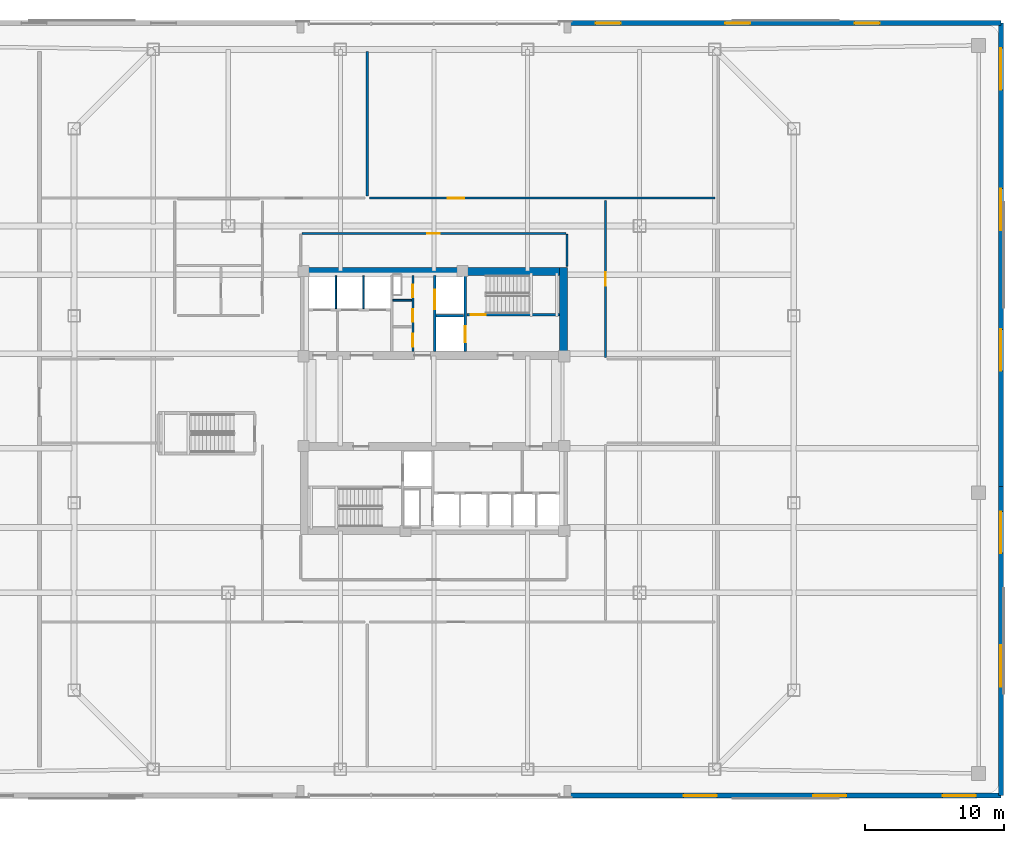
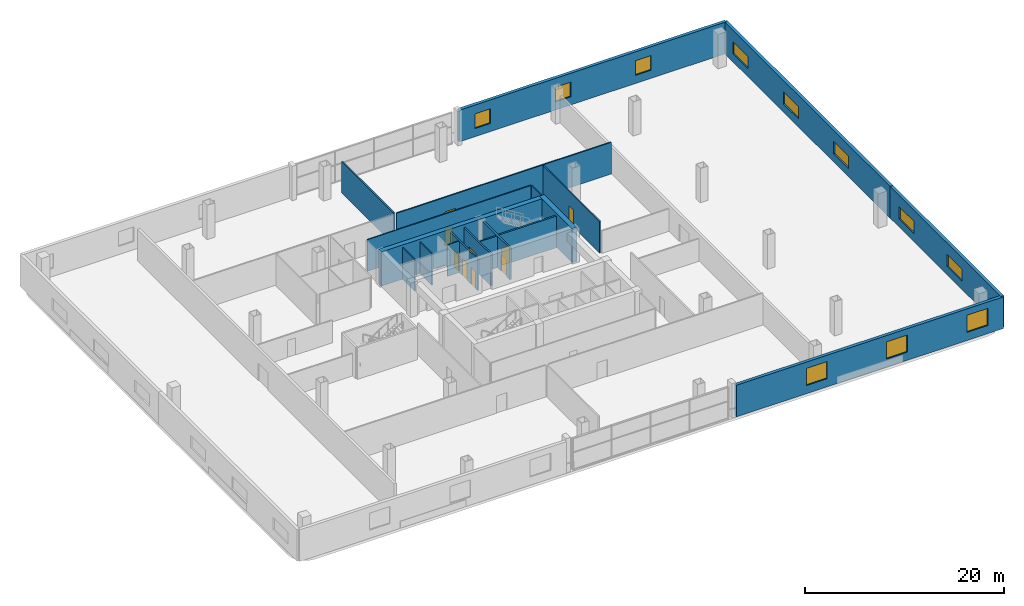
# One storey, part 14 of 21: 19 walls, 11 windows, 9 doors, 20 openings.
"""IFC4 building model written with IfcOpenShell, lengths in metres."""

from ifc_helpers import new_model, si_unit, direction, frame, frame_2d, origin, place, context, subcontext, project, spatial, rectangle, extrude, material, layer, layer_set, type_object, element, fill, save


model = new_model("IFC4")

# Units and contexts
model_context = context("Model", 3, precision=1e-05, world=origin(), true_north=direction((0.0, 1.0)))
body_context = subcontext(model_context, "Body", "Model", "MODEL_VIEW")
ifc_project = project(units=[si_unit("LENGTHUNIT", "METRE"), si_unit("AREAUNIT", "SQUARE_METRE"), si_unit("VOLUMEUNIT", "CUBIC_METRE"), si_unit("PLANEANGLEUNIT", "RADIAN"), si_unit("MASSUNIT", "GRAM", prefix="KILO")], contexts=[model_context])

# Site, building, storey
site_placement = place(None, origin())
site = spatial("IfcSite", under=ifc_project, at=site_placement, CompositionType="ELEMENT")
building_placement = place(site_placement, origin())
building = spatial("IfcBuilding", under=site, at=building_placement, Name="Qhalaya Broadcast Tower", CompositionType="ELEMENT")
storey_placement = place(building_placement, frame((0.0, 0.0, 13.5)))
storey = spatial("IfcBuildingStorey", under=building, at=storey_placement, Name="L03", CompositionType="ELEMENT", Elevation=13.5)

# Wall, openings, doors
ifc_material_1 = material(Name="Gypsum Acoustic Partition")
ifc_layer_1 = layer(ifc_material_1, 0.14990234375, Name="Gypsum Acoustic Partition")
ifc_layer_set_1 = layer_set([ifc_layer_1], Name="Gypsum Acoustic Partition")
wall_type_1 = type_object("IfcWallType", Name="Corridor & Tenancy Acoustic Partition 150", PredefinedType="PARTITIONING", material=ifc_layer_set_1)
wall_1_placement = place(storey_placement, frame((-1.52001953125, 4.169921875, 0.0), z_axis=(0.0, 0.0, 1.0), x_axis=(0.0, 1.0, 0.0)))
wall_1 = element("IfcWall", 1, at=wall_1_placement, inside=storey, type_object=wall_type_1, Name="L03 Partition Wall NCW-SVL", PredefinedType="PARTITIONING", context=body_context, shape_type="SweptSolid", body=[
    extrude(rectangle(XDim=5.4599609375, YDim=0.14990234375, at=frame_2d((2.72998046875, 0.0))), origin(), (0.0, 0.0, 1.0), 3.8798828125),
])
opening_1_placement = place(wall_1_placement, frame((3.89990234375, 0.0, 0.0)))
opening_1 = element("IfcOpeningElement", 2, at=opening_1_placement, cuts=wall_1, Name="Opening D06", PredefinedType="OPENING", context=body_context, shape_type="SweptSolid", body=[
    extrude(rectangle(XDim=0.89990234375, YDim=2.050048828125, at=frame_2d((0.449951171875, 1.02490234375))), frame((0.0, 0.0869140625, 0.0), z_axis=(0.0, -1.0, 0.0), x_axis=(1.0, 0.0, 0.0)), (0.0, 0.0, 1.0), 0.173828125),
])
opening_2_placement = place(wall_1_placement, frame((2.14990234375, 0.0, 0.0)))
opening_2 = element("IfcOpeningElement", 3, at=opening_2_placement, cuts=wall_1, Name="Opening D06", PredefinedType="OPENING", context=body_context, shape_type="SweptSolid", body=[
    extrude(rectangle(XDim=0.89990234375, YDim=2.050048828125, at=frame_2d((0.449951171875, 1.02490234375))), frame((0.0, 0.0869140625, 0.0), z_axis=(0.0, -1.0, 0.0), x_axis=(1.0, 0.0, 0.0)), (0.0, 0.0, 1.0), 0.173828125),
])
opening_3_placement = place(wall_1_placement, frame((0.35009765625, 0.0, 0.0)))
opening_3 = element("IfcOpeningElement", 4, at=opening_3_placement, cuts=wall_1, Name="Opening D12", PredefinedType="OPENING", context=body_context, shape_type="SweptSolid", body=[
    extrude(rectangle(XDim=0.919921875, YDim=2.10009765625, at=frame_2d((0.4599609375, 1.050048828125))), frame((0.0, 0.0869140625, 0.0), z_axis=(0.0, -1.0, 0.0), x_axis=(1.0, 0.0, 0.0)), (0.0, 0.0, 1.0), 0.173828125),
])
ifc_material_2 = material(Name="Timber Veneer Acoustic Door", Category="wood")
door_type_1 = type_object("IfcDoorType", Name="Accessible WC & Restroom Door D12", OperationType="NOTDEFINED", PredefinedType="DOOR", material=ifc_material_2)
door_1_placement = place(opening_3_placement, origin())
door_1 = element("IfcDoor", 5, at=door_1_placement, inside=storey, type_object=door_type_1, Name="L03 Door D-NCWC", OperationType="SINGLE_SWING_RIGHT", OverallHeight=2.10009765625, OverallWidth=0.919921875, PredefinedType="DOOR", context=body_context, shape_type="SweptSolid", body=[
    extrude(rectangle(XDim=0.919921875, YDim=2.10009765625, at=frame_2d((0.4599609375, 1.050048828125))), frame((0.0, 0.02490234375, 0.0), z_axis=(0.0, -1.0, 0.0), x_axis=(1.0, 0.0, 0.0)), (0.0, 0.0, 1.0), 0.050048828125),
])
fill(opening_3, door_1)
ifc_material_3 = material(Name="Fire-Rated Steel Door", Category="steel")
door_type_2 = type_object("IfcDoorType", Name="Riser & Electrical Shaft Access Door D06", OperationType="NOTDEFINED", PredefinedType="DOOR", material=ifc_material_3)
door_2_placement = place(opening_1_placement, origin())
door_2 = element("IfcDoor", 6, at=door_2_placement, inside=storey, type_object=door_type_2, Name="L03 Riser Shaft Access Door D-NRSR", OperationType="SINGLE_SWING_RIGHT", OverallHeight=2.050048828125, OverallWidth=0.89990234375, PredefinedType="DOOR", context=body_context, shape_type="SweptSolid", body=[
    extrude(rectangle(XDim=0.89990234375, YDim=2.050048828125, at=frame_2d((0.449951171875, 1.02490234375))), frame((0.0, 0.02490234375, 0.0), z_axis=(0.0, -1.0, 0.0), x_axis=(1.0, 0.0, 0.0)), (0.0, 0.0, 1.0), 0.050048828125),
])
fill(opening_1, door_2)
door_3_placement = place(opening_2_placement, origin())
door_3 = element("IfcDoor", 7, at=door_3_placement, inside=storey, type_object=door_type_2, Name="L03 Door D-NITR", OperationType="SINGLE_SWING_LEFT", OverallHeight=2.050048828125, OverallWidth=0.89990234375, PredefinedType="DOOR", context=body_context, shape_type="SweptSolid", body=[
    extrude(rectangle(XDim=0.89990234375, YDim=2.050048828125, at=frame_2d((0.449951171875, 1.02490234375))), frame((0.0, 0.02490234375, 0.0), z_axis=(0.0, -1.0, 0.0), x_axis=(1.0, 0.0, 0.0)), (0.0, 0.0, 1.0), 0.050048828125),
])
fill(opening_2, door_3)

# Wall, opening, door
wall_2_placement = place(storey_placement, frame((-4.639892578125, 15.199951171875, 0.0), z_axis=(0.0, 0.0, 1.0), x_axis=(1.0, 0.0, 0.0)))
wall_2 = element("IfcWall", 8, at=wall_2_placement, inside=storey, type_object=wall_type_1, Name="L03 Partition Wall W-STN1R", PredefinedType="PARTITIONING", context=body_context, shape_type="SweptSolid", body=[
    extrude(rectangle(XDim=24.8798828125, YDim=0.14990234375, at=frame_2d((12.43994140625, 0.0))), origin(), (0.0, 0.0, 1.0), 3.8798828125),
])
opening_4_placement = place(wall_2_placement, frame((5.6201171875, 0.0, 0.0)))
opening_4 = element("IfcOpeningElement", 9, at=opening_4_placement, cuts=wall_2, Name="Opening D11", PredefinedType="OPENING", context=body_context, shape_type="SweptSolid", body=[
    extrude(rectangle(XDim=1.199951171875, YDim=2.10009765625, at=frame_2d((0.60009765625, 1.050048828125))), frame((0.0, 0.0869140625, 0.0), z_axis=(0.0, -1.0, 0.0), x_axis=(1.0, 0.0, 0.0)), (0.0, 0.0, 1.0), 0.173828125),
])
ifc_material_4 = material(Name="Anodised Aluminium Glazed Door", Category="aluminium")
door_type_3 = type_object("IfcDoorType", Name="Conference, Boardroom & Studio Control Door D11", OperationType="NOTDEFINED", PredefinedType="DOOR", material=ifc_material_4)
door_4_placement = place(opening_4_placement, origin())
door_4 = element("IfcDoor", 10, at=door_4_placement, inside=storey, type_object=door_type_3, Name="L03 Door D-STN2", OperationType="SINGLE_SWING_RIGHT", OverallHeight=2.10009765625, OverallWidth=1.199951171875, PredefinedType="DOOR", context=body_context, shape_type="SweptSolid", body=[
    extrude(rectangle(XDim=1.199951171875, YDim=2.10009765625, at=frame_2d((0.60009765625, 1.050048828125))), frame((0.0, 0.02490234375, 0.0), z_axis=(0.0, -1.0, 0.0), x_axis=(1.0, 0.0, 0.0)), (0.0, 0.0, 1.0), 0.050048828125),
])
fill(opening_4, door_4)

# Wall
wall_3_placement = place(storey_placement, frame((-4.800048828125, 15.360107421875, 0.0), z_axis=(0.0, 0.0, 1.0), x_axis=(0.0, 1.0, 0.0)))
element("IfcWall", 11, at=wall_3_placement, inside=storey, type_object=wall_type_1, Name="L03 Partition Wall W-STMN", PredefinedType="PARTITIONING", context=body_context, shape_type="SweptSolid", body=[
    extrude(rectangle(XDim=10.3798828125, YDim=0.14990234375, at=frame_2d((5.18994140625, 0.0))), origin(), (0.0, 0.0, 1.0), 3.8798828125),
])

# Wall, opening, door
wall_4_placement = place(storey_placement, frame((12.35009765625, 3.739990234375, 0.0), z_axis=(0.0, 0.0, 1.0), x_axis=(0.0, 1.0, 0.0)))
wall_4 = element("IfcWall", 12, at=wall_4_placement, inside=storey, type_object=wall_type_1, Name="L03 Partition Wall W-STPEN", PredefinedType="PARTITIONING", context=body_context, shape_type="SweptSolid", body=[
    extrude(rectangle(XDim=11.300048828125, YDim=0.14990234375, at=frame_2d((5.64990234375, 0.0))), origin(), (0.0, 0.0, 1.0), 3.8798828125),
])
opening_5_placement = place(wall_4_placement, frame((5.175048828125, 0.0, 0.0)))
opening_5 = element("IfcOpeningElement", 13, at=opening_5_placement, cuts=wall_4, Name="Opening D10", PredefinedType="OPENING", context=body_context, shape_type="SweptSolid", body=[
    extrude(rectangle(XDim=0.949951171875, YDim=2.10009765625, at=frame_2d((0.47509765625, 1.050048828125))), frame((0.0, 0.0869140625, 0.0), z_axis=(0.0, -1.0, 0.0), x_axis=(1.0, 0.0, 0.0)), (0.0, 0.0, 1.0), 0.173828125),
])
door_type_4 = type_object("IfcDoorType", Name="Cellular Office & Edit Booth Door D10", OperationType="NOTDEFINED", PredefinedType="DOOR", material=ifc_material_2)
door_5_placement = place(opening_5_placement, origin())
door_5 = element("IfcDoor", 14, at=door_5_placement, inside=storey, type_object=door_type_4, Name="L03 Door D-STPE2", OperationType="SINGLE_SWING_LEFT", OverallHeight=2.10009765625, OverallWidth=0.949951171875, PredefinedType="DOOR", context=body_context, shape_type="SweptSolid", body=[
    extrude(rectangle(XDim=0.949951171875, YDim=2.10009765625, at=frame_2d((0.47509765625, 1.050048828125))), frame((0.0, 0.02490234375, 0.0), z_axis=(0.0, -1.0, 0.0), x_axis=(1.0, 0.0, 0.0)), (0.0, 0.0, 1.0), 0.050048828125),
])
fill(opening_5, door_5)

# Wall, openings, windows
ifc_material_5 = material(Name="Precast Concrete C40/50", Category="concrete")
ifc_layer_2 = layer(ifc_material_5, 0.360107421875, Name="Precast Concrete C40/50")
ifc_layer_set_2 = layer_set([ifc_layer_2], Name="Precast Concrete C40/50")
wall_type_2 = type_object("IfcWallType", Name="Insulated Precast Terracotta Exterior Wall 360", PredefinedType="SOLIDWALL", material=ifc_layer_set_2)
wall_5_placement = place(storey_placement, frame((40.800048828125, -27.800048828125, 0.0), z_axis=(0.0, 0.0, 1.0), x_axis=(-1.0, 0.0, 0.0)))
wall_5 = element("IfcWall", 15, at=wall_5_placement, inside=storey, type_object=wall_type_2, Name="L03 Podium Exterior Terracotta Wall EW-SE", PredefinedType="SOLIDWALL", context=body_context, shape_type="SweptSolid", body=[
    extrude(rectangle(XDim=30.9599609375, YDim=0.360107421875, at=frame_2d((15.47998046875, 0.0))), origin(), (0.0, 0.0, 1.0), 3.8798828125),
])
opening_6_placement = place(wall_5_placement, frame((1.800048828125, 0.0, 1.0)))
opening_6 = element("IfcOpeningElement", 16, at=opening_6_placement, cuts=wall_5, Name="Opening W01", PredefinedType="OPENING", context=body_context, shape_type="SweptSolid", body=[
    extrude(rectangle(XDim=2.39990234375, YDim=2.10009765625, at=frame_2d((1.199951171875, 1.050048828125))), frame((0.0, 0.192138671875, 0.0), z_axis=(0.0, -1.0, 0.0), x_axis=(1.0, 0.0, 0.0)), (0.0, 0.0, 1.0), 0.384033203125),
])
opening_7_placement = place(wall_5_placement, frame((11.1201171875, 0.0, 1.0)))
opening_7 = element("IfcOpeningElement", 17, at=opening_7_placement, cuts=wall_5, Name="Opening W01", PredefinedType="OPENING", context=body_context, shape_type="SweptSolid", body=[
    extrude(rectangle(XDim=2.39990234375, YDim=2.10009765625, at=frame_2d((1.199951171875, 1.050048828125))), frame((0.0, 0.192138671875, 0.0), z_axis=(0.0, -1.0, 0.0), x_axis=(1.0, 0.0, 0.0)), (0.0, 0.0, 1.0), 0.384033203125),
])
opening_8_placement = place(wall_5_placement, frame((20.43994140625, 0.0, 1.0)))
opening_8 = element("IfcOpeningElement", 18, at=opening_8_placement, cuts=wall_5, Name="Opening W01", PredefinedType="OPENING", context=body_context, shape_type="SweptSolid", body=[
    extrude(rectangle(XDim=2.39990234375, YDim=2.10009765625, at=frame_2d((1.199951171875, 1.050048828125))), frame((0.0, 0.192138671875, 0.0), z_axis=(0.0, -1.0, 0.0), x_axis=(1.0, 0.0, 0.0)), (0.0, 0.0, 1.0), 0.384033203125),
])
ifc_material_6 = material(Name="Solar-Control Low-E Triple Glazing", Category="glass")
window_type_1 = type_object("IfcWindowType", Name="Podium Broadcast Studio Acoustic Window W01", PartitioningType="SINGLE_PANEL", PredefinedType="WINDOW", material=ifc_material_6)
window_1_placement = place(opening_6_placement, origin())
window_1 = element("IfcWindow", 19, at=window_1_placement, inside=storey, type_object=window_type_1, Name="L03 Facade Window W01-1", OverallHeight=2.10009765625, OverallWidth=2.39990234375, PartitioningType="SINGLE_PANEL", PredefinedType="WINDOW", context=body_context, shape_type="SweptSolid", body=[
    extrude(rectangle(XDim=2.39990234375, YDim=2.10009765625, at=frame_2d((1.199951171875, 1.050048828125))), frame((0.0, 0.030029296875, 0.0), z_axis=(0.0, -1.0, 0.0), x_axis=(1.0, 0.0, 0.0)), (0.0, 0.0, 1.0), 0.06005859375),
])
fill(opening_6, window_1)
window_2_placement = place(opening_7_placement, origin())
window_2 = element("IfcWindow", 20, at=window_2_placement, inside=storey, type_object=window_type_1, Name="L03 Facade Window W01-2", OverallHeight=2.10009765625, OverallWidth=2.39990234375, PartitioningType="SINGLE_PANEL", PredefinedType="WINDOW", context=body_context, shape_type="SweptSolid", body=[
    extrude(rectangle(XDim=2.39990234375, YDim=2.10009765625, at=frame_2d((1.199951171875, 1.050048828125))), frame((0.0, 0.030029296875, 0.0), z_axis=(0.0, -1.0, 0.0), x_axis=(1.0, 0.0, 0.0)), (0.0, 0.0, 1.0), 0.06005859375),
])
fill(opening_7, window_2)
window_3_placement = place(opening_8_placement, origin())
window_3 = element("IfcWindow", 21, at=window_3_placement, inside=storey, type_object=window_type_1, Name="L03 Facade Window W01-3", OverallHeight=2.10009765625, OverallWidth=2.39990234375, PartitioningType="SINGLE_PANEL", PredefinedType="WINDOW", context=body_context, shape_type="SweptSolid", body=[
    extrude(rectangle(XDim=2.39990234375, YDim=2.10009765625, at=frame_2d((1.199951171875, 1.050048828125))), frame((0.0, 0.030029296875, 0.0), z_axis=(0.0, -1.0, 0.0), x_axis=(1.0, 0.0, 0.0)), (0.0, 0.0, 1.0), 0.06005859375),
])
fill(opening_8, window_3)

wall_6_placement = place(storey_placement, frame((9.840087890625, 27.800048828125, 0.0), z_axis=(0.0, 0.0, 1.0), x_axis=(1.0, 0.0, 0.0)))
wall_6 = element("IfcWall", 22, at=wall_6_placement, inside=storey, type_object=wall_type_2, Name="L03 Podium Exterior Terracotta Wall EW-NE", PredefinedType="SOLIDWALL", context=body_context, shape_type="SweptSolid", body=[
    extrude(rectangle(XDim=30.9599609375, YDim=0.360107421875, at=frame_2d((15.47998046875, 0.0))), origin(), (0.0, 0.0, 1.0), 3.8798828125),
])
opening_9_placement = place(wall_6_placement, frame((1.800048828125, 0.0, 1.0)))
opening_9 = element("IfcOpeningElement", 23, at=opening_9_placement, cuts=wall_6, Name="Opening W02", PredefinedType="OPENING", context=body_context, shape_type="SweptSolid", body=[
    extrude(rectangle(XDim=1.800048828125, YDim=1.800048828125, at=frame_2d((0.89990234375, 0.89990234375))), frame((0.0, 0.192138671875, 0.0), z_axis=(0.0, -1.0, 0.0), x_axis=(1.0, 0.0, 0.0)), (0.0, 0.0, 1.0), 0.384033203125),
])
opening_10_placement = place(wall_6_placement, frame((11.1201171875, 0.0, 1.0)))
opening_10 = element("IfcOpeningElement", 24, at=opening_10_placement, cuts=wall_6, Name="Opening W02", PredefinedType="OPENING", context=body_context, shape_type="SweptSolid", body=[
    extrude(rectangle(XDim=1.800048828125, YDim=1.800048828125, at=frame_2d((0.89990234375, 0.89990234375))), frame((0.0, 0.192138671875, 0.0), z_axis=(0.0, -1.0, 0.0), x_axis=(1.0, 0.0, 0.0)), (0.0, 0.0, 1.0), 0.384033203125),
])
opening_11_placement = place(wall_6_placement, frame((20.43994140625, 0.0, 1.0)))
opening_11 = element("IfcOpeningElement", 25, at=opening_11_placement, cuts=wall_6, Name="Opening W02", PredefinedType="OPENING", context=body_context, shape_type="SweptSolid", body=[
    extrude(rectangle(XDim=1.800048828125, YDim=1.800048828125, at=frame_2d((0.89990234375, 0.89990234375))), frame((0.0, 0.192138671875, 0.0), z_axis=(0.0, -1.0, 0.0), x_axis=(1.0, 0.0, 0.0)), (0.0, 0.0, 1.0), 0.384033203125),
])
window_type_2 = type_object("IfcWindowType", Name="Podium Production Office Window W02", PartitioningType="SINGLE_PANEL", PredefinedType="WINDOW", material=ifc_material_6)
window_4_placement = place(opening_9_placement, origin())
window_4 = element("IfcWindow", 26, at=window_4_placement, inside=storey, type_object=window_type_2, Name="L03 Facade Window W02-1", OverallHeight=1.800048828125, OverallWidth=1.800048828125, PartitioningType="SINGLE_PANEL", PredefinedType="WINDOW", context=body_context, shape_type="SweptSolid", body=[
    extrude(rectangle(XDim=1.800048828125, YDim=1.800048828125, at=frame_2d((0.89990234375, 0.89990234375))), frame((0.0, 0.030029296875, 0.0), z_axis=(0.0, -1.0, 0.0), x_axis=(1.0, 0.0, 0.0)), (0.0, 0.0, 1.0), 0.06005859375),
])
fill(opening_9, window_4)
window_5_placement = place(opening_10_placement, origin())
window_5 = element("IfcWindow", 27, at=window_5_placement, inside=storey, type_object=window_type_2, Name="L03 Facade Window W02-2", OverallHeight=1.800048828125, OverallWidth=1.800048828125, PartitioningType="SINGLE_PANEL", PredefinedType="WINDOW", context=body_context, shape_type="SweptSolid", body=[
    extrude(rectangle(XDim=1.800048828125, YDim=1.800048828125, at=frame_2d((0.89990234375, 0.89990234375))), frame((0.0, 0.030029296875, 0.0), z_axis=(0.0, -1.0, 0.0), x_axis=(1.0, 0.0, 0.0)), (0.0, 0.0, 1.0), 0.06005859375),
])
fill(opening_10, window_5)
window_6_placement = place(opening_11_placement, origin())
window_6 = element("IfcWindow", 28, at=window_6_placement, inside=storey, type_object=window_type_2, Name="L03 Facade Window W02-3", OverallHeight=1.800048828125, OverallWidth=1.800048828125, PartitioningType="SINGLE_PANEL", PredefinedType="WINDOW", context=body_context, shape_type="SweptSolid", body=[
    extrude(rectangle(XDim=1.800048828125, YDim=1.800048828125, at=frame_2d((0.89990234375, 0.89990234375))), frame((0.0, 0.030029296875, 0.0), z_axis=(0.0, -1.0, 0.0), x_axis=(1.0, 0.0, 0.0)), (0.0, 0.0, 1.0), 0.06005859375),
])
fill(opening_11, window_6)

wall_7_placement = place(storey_placement, frame((40.800048828125, -5.550048828125, 0.0), z_axis=(0.0, 0.0, 1.0), x_axis=(0.0, -1.0, 0.0)))
wall_7 = element("IfcWall", 29, at=wall_7_placement, inside=storey, type_object=wall_type_2, Name="L03 Podium Exterior Terracotta Wall EW-ES", PredefinedType="SOLIDWALL", context=body_context, shape_type="SweptSolid", body=[
    extrude(rectangle(XDim=22.25, YDim=0.360107421875, at=frame_2d((11.125, 0.0))), origin(), (0.0, 0.0, 1.0), 3.8798828125),
])
opening_12_placement = place(wall_7_placement, frame((1.800048828125, 0.0, 1.0)))
opening_12 = element("IfcOpeningElement", 30, at=opening_12_placement, cuts=wall_7, Name="Opening W03", PredefinedType="OPENING", context=body_context, shape_type="SweptSolid", body=[
    extrude(rectangle(XDim=3.0, YDim=1.5, at=frame_2d((1.5, 0.75))), frame((0.0, 0.192138671875, 0.0), z_axis=(0.0, -1.0, 0.0), x_axis=(1.0, 0.0, 0.0)), (0.0, 0.0, 1.0), 0.384033203125),
])
opening_13_placement = place(wall_7_placement, frame((11.425048828125, 0.0, 1.0)))
opening_13 = element("IfcOpeningElement", 31, at=opening_13_placement, cuts=wall_7, Name="Opening W03", PredefinedType="OPENING", context=body_context, shape_type="SweptSolid", body=[
    extrude(rectangle(XDim=3.0, YDim=1.5, at=frame_2d((1.5, 0.75))), frame((0.0, 0.192138671875, 0.0), z_axis=(0.0, -1.0, 0.0), x_axis=(1.0, 0.0, 0.0)), (0.0, 0.0, 1.0), 0.384033203125),
])
window_type_3 = type_object("IfcWindowType", Name="Podium Concourse Clerestory Window W03", PartitioningType="SINGLE_PANEL", PredefinedType="WINDOW", material=ifc_material_6)
window_7_placement = place(opening_12_placement, origin())
window_7 = element("IfcWindow", 32, at=window_7_placement, inside=storey, type_object=window_type_3, Name="L03 Facade Window W03-1", OverallHeight=1.5, OverallWidth=3.0, PartitioningType="SINGLE_PANEL", PredefinedType="WINDOW", context=body_context, shape_type="SweptSolid", body=[
    extrude(rectangle(XDim=3.0, YDim=1.5, at=frame_2d((1.5, 0.75))), frame((0.0, 0.030029296875, 0.0), z_axis=(0.0, -1.0, 0.0), x_axis=(1.0, 0.0, 0.0)), (0.0, 0.0, 1.0), 0.06005859375),
])
fill(opening_12, window_7)
window_8_placement = place(opening_13_placement, origin())
window_8 = element("IfcWindow", 33, at=window_8_placement, inside=storey, type_object=window_type_3, Name="L03 Facade Window W03-2", OverallHeight=1.5, OverallWidth=3.0, PartitioningType="SINGLE_PANEL", PredefinedType="WINDOW", context=body_context, shape_type="SweptSolid", body=[
    extrude(rectangle(XDim=3.0, YDim=1.5, at=frame_2d((1.5, 0.75))), frame((0.0, 0.030029296875, 0.0), z_axis=(0.0, -1.0, 0.0), x_axis=(1.0, 0.0, 0.0)), (0.0, 0.0, 1.0), 0.06005859375),
])
fill(opening_13, window_8)

wall_8_placement = place(storey_placement, frame((40.800048828125, 27.800048828125, 0.0), z_axis=(0.0, 0.0, 1.0), x_axis=(0.0, -1.0, 0.0)))
wall_8 = element("IfcWall", 34, at=wall_8_placement, inside=storey, type_object=wall_type_2, Name="L03 Podium Exterior Terracotta Wall EW-EN", PredefinedType="SOLIDWALL", context=body_context, shape_type="SweptSolid", body=[
    extrude(rectangle(XDim=33.35009765625, YDim=0.360107421875, at=frame_2d((16.675048828125, 0.0))), origin(), (0.0, 0.0, 1.0), 3.8798828125),
])
opening_14_placement = place(wall_8_placement, frame((1.800048828125, 0.0, 1.0)))
opening_14 = element("IfcOpeningElement", 35, at=opening_14_placement, cuts=wall_8, Name="Opening W03", PredefinedType="OPENING", context=body_context, shape_type="SweptSolid", body=[
    extrude(rectangle(XDim=3.0, YDim=1.5, at=frame_2d((1.5, 0.75))), frame((0.0, 0.192138671875, 0.0), z_axis=(0.0, -1.0, 0.0), x_axis=(1.0, 0.0, 0.0)), (0.0, 0.0, 1.0), 0.384033203125),
])
opening_15_placement = place(wall_8_placement, frame((11.9169921875, 0.0, 1.0)))
opening_15 = element("IfcOpeningElement", 36, at=opening_15_placement, cuts=wall_8, Name="Opening W03", PredefinedType="OPENING", context=body_context, shape_type="SweptSolid", body=[
    extrude(rectangle(XDim=3.0, YDim=1.5, at=frame_2d((1.5, 0.75))), frame((0.0, 0.192138671875, 0.0), z_axis=(0.0, -1.0, 0.0), x_axis=(1.0, 0.0, 0.0)), (0.0, 0.0, 1.0), 0.384033203125),
])
opening_16_placement = place(wall_8_placement, frame((22.032958984375, 0.0, 1.0)))
opening_16 = element("IfcOpeningElement", 37, at=opening_16_placement, cuts=wall_8, Name="Opening W03", PredefinedType="OPENING", context=body_context, shape_type="SweptSolid", body=[
    extrude(rectangle(XDim=3.0, YDim=1.5, at=frame_2d((1.5, 0.75))), frame((0.0, 0.192138671875, 0.0), z_axis=(0.0, -1.0, 0.0), x_axis=(1.0, 0.0, 0.0)), (0.0, 0.0, 1.0), 0.384033203125),
])
window_9_placement = place(opening_14_placement, origin())
window_9 = element("IfcWindow", 38, at=window_9_placement, inside=storey, type_object=window_type_3, Name="L03 Facade Window W03-1", OverallHeight=1.5, OverallWidth=3.0, PartitioningType="SINGLE_PANEL", PredefinedType="WINDOW", context=body_context, shape_type="SweptSolid", body=[
    extrude(rectangle(XDim=3.0, YDim=1.5, at=frame_2d((1.5, 0.75))), frame((0.0, 0.030029296875, 0.0), z_axis=(0.0, -1.0, 0.0), x_axis=(1.0, 0.0, 0.0)), (0.0, 0.0, 1.0), 0.06005859375),
])
fill(opening_14, window_9)
window_10_placement = place(opening_15_placement, origin())
window_10 = element("IfcWindow", 39, at=window_10_placement, inside=storey, type_object=window_type_3, Name="L03 Facade Window W03-2", OverallHeight=1.5, OverallWidth=3.0, PartitioningType="SINGLE_PANEL", PredefinedType="WINDOW", context=body_context, shape_type="SweptSolid", body=[
    extrude(rectangle(XDim=3.0, YDim=1.5, at=frame_2d((1.5, 0.75))), frame((0.0, 0.030029296875, 0.0), z_axis=(0.0, -1.0, 0.0), x_axis=(1.0, 0.0, 0.0)), (0.0, 0.0, 1.0), 0.06005859375),
])
fill(opening_15, window_10)
window_11_placement = place(opening_16_placement, origin())
window_11 = element("IfcWindow", 40, at=window_11_placement, inside=storey, type_object=window_type_3, Name="L03 Facade Window W03-3", OverallHeight=1.5, OverallWidth=3.0, PartitioningType="SINGLE_PANEL", PredefinedType="WINDOW", context=body_context, shape_type="SweptSolid", body=[
    extrude(rectangle(XDim=3.0, YDim=1.5, at=frame_2d((1.5, 0.75))), frame((0.0, 0.030029296875, 0.0), z_axis=(0.0, -1.0, 0.0), x_axis=(1.0, 0.0, 0.0)), (0.0, 0.0, 1.0), 0.06005859375),
])
fill(opening_16, window_11)

# Wall, opening, door
ifc_material_7 = material(Name="Concrete C50/60", Category="concrete")
ifc_layer_3 = layer(ifc_material_7, 0.199951171875, Name="Concrete C50/60")
ifc_layer_set_3 = layer_set([ifc_layer_3], Name="Concrete C50/60")
wall_type_3 = type_object("IfcWallType", Name="Load-Bearing Stair Shaft Wall 200", PredefinedType="SHEAR", material=ifc_layer_set_3)
wall_9_placement = place(storey_placement, frame((2.360107421875, 6.804931640625, 0.0), z_axis=(0.0, 0.0, 1.0), x_axis=(1.0, 0.0, 0.0)))
wall_9 = element("IfcWall", 41, at=wall_9_placement, inside=storey, type_object=wall_type_3, Name="L03 Stair Core Shear Wall NCW-ST1", PredefinedType="SHEAR", context=body_context, shape_type="SweptSolid", body=[
    extrude(rectangle(XDim=6.669921875, YDim=0.199951171875, at=frame_2d((3.3349609375, 0.0))), origin(), (0.0, 0.0, 1.0), 3.8798828125),
])
opening_17_placement = place(wall_9_placement, frame((0.300048828125, 0.0, 0.0)))
opening_17 = element("IfcOpeningElement", 42, at=opening_17_placement, cuts=wall_9, Name="Opening D03", PredefinedType="OPENING", context=body_context, shape_type="SweptSolid", body=[
    extrude(rectangle(XDim=1.050048828125, YDim=2.080078125, at=frame_2d((0.52490234375, 1.0400390625))), frame((0.0, 0.112060546875, 0.0), z_axis=(0.0, -1.0, 0.0), x_axis=(1.0, 0.0, 0.0)), (0.0, 0.0, 1.0), 0.223876953125),
])
door_type_5 = type_object("IfcDoorType", Name="Core Stair Protected Fire Door D03", OperationType="NOTDEFINED", PredefinedType="DOOR", material=ifc_material_3)
door_6_placement = place(opening_17_placement, origin())
door_6 = element("IfcDoor", 43, at=door_6_placement, inside=storey, type_object=door_type_5, Name="L03 Door D-NST1", OperationType="SINGLE_SWING_LEFT", OverallHeight=2.080078125, OverallWidth=1.050048828125, PredefinedType="DOOR", context=body_context, shape_type="SweptSolid", body=[
    extrude(rectangle(XDim=1.050048828125, YDim=2.080078125, at=frame_2d((0.52490234375, 1.0400390625))), frame((0.0, 0.02490234375, 0.0), z_axis=(0.0, -1.0, 0.0), x_axis=(1.0, 0.0, 0.0)), (0.0, 0.0, 1.0), 0.050048828125),
])
fill(opening_17, door_6)

wall_10_placement = place(storey_placement, frame((2.25, 4.169921875, 0.0), z_axis=(0.0, 0.0, 1.0), x_axis=(0.0, 1.0, 0.0)))
wall_10 = element("IfcWall", 44, at=wall_10_placement, inside=storey, type_object=wall_type_3, Name="L03 Stair Core Shear Wall NCW-FF", PredefinedType="SHEAR", context=body_context, shape_type="SweptSolid", body=[
    extrude(rectangle(XDim=5.4599609375, YDim=0.199951171875, at=frame_2d((2.72998046875, 0.0))), origin(), (0.0, 0.0, 1.0), 3.8798828125),
])
opening_18_placement = place(wall_10_placement, frame((0.64990234375, 0.0, 0.0)))
opening_18 = element("IfcOpeningElement", 45, at=opening_18_placement, cuts=wall_10, Name="Opening LD2", PredefinedType="OPENING", context=body_context, shape_type="SweptSolid", body=[
    extrude(rectangle(XDim=1.14990234375, YDim=2.080078125, at=frame_2d((0.574951171875, 1.0400390625))), frame((0.0, 0.112060546875, 0.0), z_axis=(0.0, -1.0, 0.0), x_axis=(1.0, 0.0, 0.0)), (0.0, 0.0, 1.0), 0.223876953125),
])
ifc_material_8 = material(Name="Brushed Stainless Steel Lift Door", Category="steel")
door_type_6 = type_object("IfcDoorType", Name="Firefighting Lift Sliding Landing Door LD2", OperationType="DOUBLE_DOOR_SLIDING", PredefinedType="DOOR", material=ifc_material_8)
door_7_placement = place(opening_18_placement, origin())
door_7 = element("IfcDoor", 46, at=door_7_placement, inside=storey, type_object=door_type_6, Name="L03 Door LD-FF1", OperationType="DOUBLE_DOOR_SLIDING", OverallHeight=2.080078125, OverallWidth=1.14990234375, PredefinedType="DOOR", context=body_context, shape_type="SweptSolid", body=[
    extrude(rectangle(XDim=1.14990234375, YDim=2.080078125, at=frame_2d((0.574951171875, 1.0400390625))), frame((0.0, 0.02490234375, 0.0), z_axis=(0.0, -1.0, 0.0), x_axis=(1.0, 0.0, 0.0)), (0.0, 0.0, 1.0), 0.050048828125),
])
fill(opening_18, door_7)

# Walls
ifc_material_9 = material(Name="Concrete C60/75", Category="concrete")
ifc_layer_4 = layer(ifc_material_9, 0.550048828125, Name="Concrete C60/75")
ifc_layer_set_4 = layer_set([ifc_layer_4], Name="Concrete C60/75")
wall_type_4 = type_object("IfcWallType", Name="Lower Split-Core Shear Wall 550", PredefinedType="SHEAR", material=ifc_layer_set_4)
wall_11_placement = place(storey_placement, frame((-9.60009765625, 9.925048828125, 0.0), z_axis=(0.0, 0.0, 1.0), x_axis=(1.0, 0.0, 0.0)))
element("IfcWall", 47, at=wall_11_placement, inside=storey, type_object=wall_type_4, Name="L03 Split-Core Shear Wall CW-NN", PredefinedType="SHEAR", context=body_context, shape_type="SweptSolid", body=[
    extrude(rectangle(XDim=19.2001953125, YDim=0.550048828125, at=frame_2d((9.60009765625, 0.0))), origin(), (0.0, 0.0, 1.0), 4.199951171875),
])
wall_12_placement = place(storey_placement, frame((9.324951171875, 3.60009765625, 0.0), z_axis=(0.0, 0.0, 1.0), x_axis=(0.0, 1.0, 0.0)))
element("IfcWall", 48, at=wall_12_placement, inside=storey, type_object=wall_type_4, Name="L03 Split-Core Shear Wall CW-NE", PredefinedType="SHEAR", context=body_context, shape_type="SweptSolid", body=[
    extrude(rectangle(XDim=6.599853515625, YDim=0.550048828125, at=frame_2d((3.2998046875, 0.0))), origin(), (0.0, 0.0, 1.0), 4.199951171875),
])
ifc_layer_5 = layer(ifc_material_1, 0.1201171875, Name="Gypsum Acoustic Partition")
ifc_layer_set_5 = layer_set([ifc_layer_5], Name="Gypsum Acoustic Partition")
wall_type_5 = type_object("IfcWallType", Name="Office, Booth & Sanitary Partition 120", PredefinedType="PARTITIONING", material=ifc_layer_set_5)
wall_13_placement = place(storey_placement, frame((-2.9599609375, 7.85009765625, 0.0), z_axis=(0.0, 0.0, 1.0), x_axis=(1.0, 0.0, 0.0)))
element("IfcWall", 49, at=wall_13_placement, inside=storey, type_object=wall_type_5, Name="L03 Partition Wall NCW-VB2", PredefinedType="PARTITIONING", context=body_context, shape_type="SweptSolid", body=[
    extrude(rectangle(XDim=1.35986328125, YDim=0.1201171875, at=frame_2d((0.679931640625, 0.0))), origin(), (0.0, 0.0, 1.0), 3.8798828125),
])
for number, where, z_axis, x_axis, name in (
    (50, (-7.06005859375, 7.25, 0.0), (0.0, 0.0, 1.0), (0.0, 1.0, 0.0), "L03 Partition Wall NCW-PD1"),
    (51, (-5.06005859375, 7.25, 0.0), (0.0, 0.0, 1.0), (0.0, 1.0, 0.0), "L03 Partition Wall NCW-PD2"),
):
    element("IfcWall", number, at=place(storey_placement, frame(where, z_axis=z_axis, x_axis=x_axis)), inside=storey, type_object=wall_type_5, Name=name, PredefinedType="PARTITIONING", context=body_context, shape_type="SweptSolid", body=[
        extrude(rectangle(XDim=2.3798828125, YDim=0.1201171875, at=frame_2d((1.18994140625, 0.0))), origin(), (0.0, 0.0, 1.0), 3.8798828125),
    ])

# Wall, opening, door
wall_14_placement = place(storey_placement, frame((-9.489990234375, 12.659912109375, 0.0), z_axis=(0.0, 0.0, 1.0), x_axis=(1.0, 0.0, 0.0)))
wall_14 = element("IfcWall", 52, at=wall_14_placement, inside=storey, type_object=wall_type_5, Name="L03 Partition Wall W-PCSHN", PredefinedType="PARTITIONING", context=body_context, shape_type="SweptSolid", body=[
    extrude(rectangle(XDim=18.97998046875, YDim=0.1201171875, at=frame_2d((9.489990234375, 0.0))), origin(), (0.0, 0.0, 1.0), 3.8798828125),
])
opening_19_placement = place(wall_14_placement, frame((9.014892578125, 0.0, 0.0)))
opening_19 = element("IfcOpeningElement", 53, at=opening_19_placement, cuts=wall_14, Name="Opening D06", PredefinedType="OPENING", context=body_context, shape_type="SweptSolid", body=[
    extrude(rectangle(XDim=0.89990234375, YDim=2.050048828125, at=frame_2d((0.449951171875, 1.02490234375))), frame((0.0, 0.072021484375, 0.0), z_axis=(0.0, -1.0, 0.0), x_axis=(1.0, 0.0, 0.0)), (0.0, 0.0, 1.0), 0.14404296875),
])
door_8_placement = place(opening_19_placement, origin())
door_8 = element("IfcDoor", 54, at=door_8_placement, inside=storey, type_object=door_type_2, Name="L03 Door D-PCSHN", OperationType="SINGLE_SWING_LEFT", OverallHeight=2.050048828125, OverallWidth=0.89990234375, PredefinedType="DOOR", context=body_context, shape_type="SweptSolid", body=[
    extrude(rectangle(XDim=0.89990234375, YDim=2.050048828125, at=frame_2d((0.449951171875, 1.02490234375))), frame((0.0, 0.02490234375, 0.0), z_axis=(0.0, -1.0, 0.0), x_axis=(1.0, 0.0, 0.0)), (0.0, 0.0, 1.0), 0.050048828125),
])
fill(opening_19, door_8)

# Wall
wall_15_placement = place(storey_placement, frame((9.580078125, 10.31005859375, 0.0), z_axis=(0.0, 0.0, 1.0), x_axis=(0.0, 1.0, 0.0)))
element("IfcWall", 55, at=wall_15_placement, inside=storey, type_object=wall_type_5, Name="L03 Partition Wall W-PCSHNE", PredefinedType="PARTITIONING", context=body_context, shape_type="SweptSolid", body=[
    extrude(rectangle(XDim=2.280029296875, YDim=0.1201171875, at=frame_2d((1.14013671875, 0.0))), origin(), (0.0, 0.0, 1.0), 3.8798828125),
])

# Wall, opening, door
ifc_layer_6 = layer(ifc_material_1, 0.175048828125, Name="Gypsum Acoustic Partition")
ifc_layer_set_6 = layer_set([ifc_layer_6], Name="Gypsum Acoustic Partition")
wall_type_6 = type_object("IfcWallType", Name="Shaft & Riser Fire Partition 175", PredefinedType="PARTITIONING", material=ifc_layer_set_6)
wall_16_placement = place(storey_placement, frame((0.06005859375, 4.169921875, 0.0), z_axis=(0.0, 0.0, 1.0), x_axis=(0.0, 1.0, 0.0)))
wall_16 = element("IfcWall", 56, at=wall_16_placement, inside=storey, type_object=wall_type_6, Name="L03 Partition Wall NCW-SVW", PredefinedType="PARTITIONING", context=body_context, shape_type="SweptSolid", body=[
    extrude(rectangle(XDim=5.4599609375, YDim=0.175048828125, at=frame_2d((2.72998046875, 0.0))), origin(), (0.0, 0.0, 1.0), 3.8798828125),
])
opening_20_placement = place(wall_16_placement, frame((3.050048828125, 0.0, 0.0)))
opening_20 = element("IfcOpeningElement", 57, at=opening_20_placement, cuts=wall_16, Name="Opening LD3", PredefinedType="OPENING", context=body_context, shape_type="SweptSolid", body=[
    extrude(rectangle(XDim=1.39990234375, YDim=2.1201171875, at=frame_2d((0.699951171875, 1.06005859375))), frame((0.0, 0.099609375, 0.0), z_axis=(0.0, -1.0, 0.0), x_axis=(1.0, 0.0, 0.0)), (0.0, 0.0, 1.0), 0.198974609375),
])
door_type_7 = type_object("IfcDoorType", Name="Service Lift Wide Sliding Landing Door LD3", OperationType="DOUBLE_DOOR_SLIDING", PredefinedType="DOOR", material=ifc_material_8)
door_9_placement = place(opening_20_placement, origin())
door_9 = element("IfcDoor", 58, at=door_9_placement, inside=storey, type_object=door_type_7, Name="L03 Door LD-SV1", OperationType="DOUBLE_DOOR_SLIDING", OverallHeight=2.1201171875, OverallWidth=1.39990234375, PredefinedType="DOOR", context=body_context, shape_type="SweptSolid", body=[
    extrude(rectangle(XDim=1.39990234375, YDim=2.1201171875, at=frame_2d((0.699951171875, 1.06005859375))), frame((0.0, 0.02490234375, 0.0), z_axis=(0.0, -1.0, 0.0), x_axis=(1.0, 0.0, 0.0)), (0.0, 0.0, 1.0), 0.050048828125),
])
fill(opening_20, door_9)

# Wall
wall_17_placement = place(storey_placement, frame((0.159912109375, 6.75, 0.0), z_axis=(0.0, 0.0, 1.0), x_axis=(1.0, 0.0, 0.0)))
element("IfcWall", 59, at=wall_17_placement, inside=storey, type_object=wall_type_6, Name="L03 Partition Wall NCW-SVM", PredefinedType="PARTITIONING", context=body_context, shape_type="SweptSolid", body=[
    extrude(rectangle(XDim=1.97998046875, YDim=0.175048828125, at=frame_2d((0.989990234375, 0.0))), origin(), (0.0, 0.0, 1.0), 3.8798828125),
])

save(model, "model.ifc")
